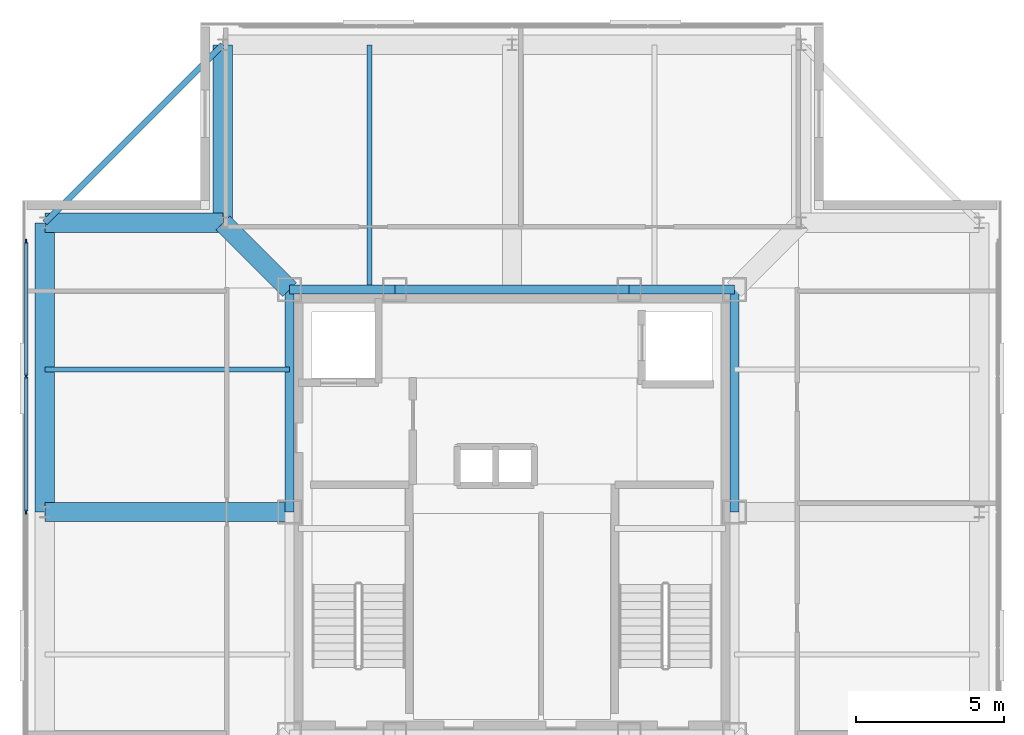
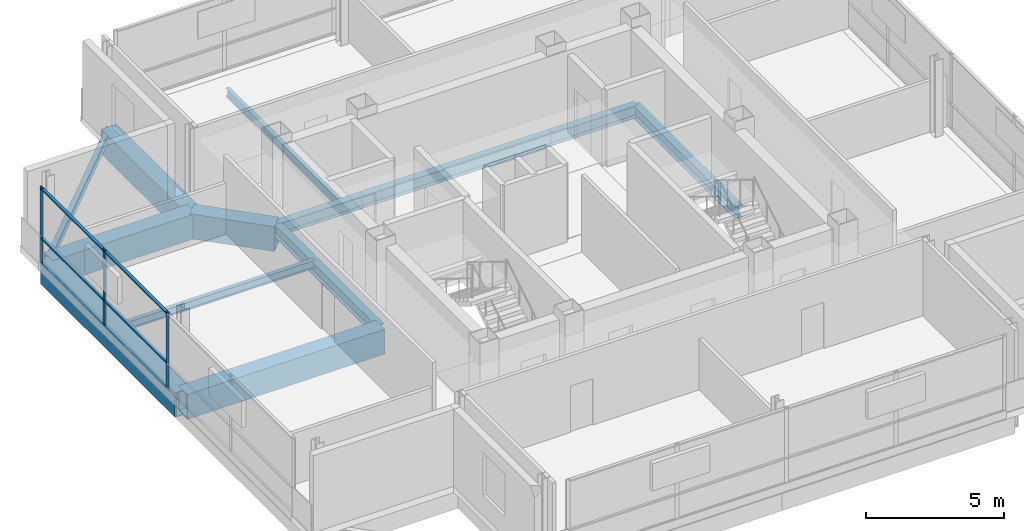
# One storey, part 4 of 11: 13 beams, 9 members, 1 element without a shape of its own.
"""IFC4 building model written with IfcOpenShell, lengths in metres."""

from ifc_helpers import new_model, si_unit, direction, frame, origin, origin_2d, place, context, subcontext, project, spatial, rectangle, hollow_rectangle, i_section, extrude, material, layer, layer_set, material_profile, profile_set, type_object, element, aggregate, save


model = new_model("IFC4")

# Units and contexts
model_context = context("Model", 3, precision=1e-05, world=origin(), true_north=direction((0.0, 1.0)))
body_context = subcontext(model_context, "Body", "Model", "MODEL_VIEW")
ifc_project = project(units=[si_unit("LENGTHUNIT", "METRE"), si_unit("AREAUNIT", "SQUARE_METRE"), si_unit("VOLUMEUNIT", "CUBIC_METRE"), si_unit("PLANEANGLEUNIT", "RADIAN"), si_unit("MASSUNIT", "GRAM", prefix="KILO")], contexts=[model_context])

# Site, building, storey
site_placement = place(None, origin())
site = spatial("IfcSite", under=ifc_project, at=site_placement, CompositionType="ELEMENT")
building_placement = place(site_placement, origin())
building = spatial("IfcBuilding", under=site, at=building_placement, Name="Trevonay Congress Spire", CompositionType="ELEMENT")
storey_placement = place(building_placement, frame((0.0, 0.0, 312.199951171875)))
storey = spatial("IfcBuildingStorey", under=building, at=storey_placement, Name="L82", CompositionType="ELEMENT", Elevation=312.199951171875)

# Beams
ifc_material_1 = material(Name="Steel ASTM A572 Grade 50", Category="steel")
ifc_material_profile_1 = material_profile(ifc_material_1, i_section(OverallWidth=0.31201171875, OverallDepth=0.54296875, WebThickness=0.0126953125, FlangeThickness=0.020263671875, FilletRadius=0.014892578125, at=origin_2d()), Name="W530x150")
ifc_profile_set_1 = profile_set([ifc_material_profile_1], Name="Steel ASTM A572 Grade 50")
beam_type_1 = type_object("IfcBeamType", Name="BM-GIRD-W530X150", PredefinedType="BEAM", material=ifc_profile_set_1)
beam_1_placement = place(storey_placement, frame((-7.5, 7.5, -0.551513671875), z_axis=(1.0, 0.0, 0.0), x_axis=(0.0, 1.0, 0.0)))
element("IfcBeam", 1, at=beam_1_placement, inside=storey, type_object=beam_type_1, Name="L82 structural beam BM-L82-CR-N1", PredefinedType="BEAM", context=body_context, shape_type="SweptSolid", body=[
    extrude(i_section(OverallWidth=0.31201171875, OverallDepth=0.54296875, WebThickness=0.0126953125, FlangeThickness=0.020263671875, FilletRadius=0.014892578125, at=origin_2d()), origin(), (0.0, 0.0, 1.0), 3.550048828125),
])
beam_2_placement = place(storey_placement, frame((-3.949951171875, 7.5, -0.551513671875), z_axis=(1.0, 0.0, 0.0), x_axis=(0.0, 1.0, 0.0)))
element("IfcBeam", 2, at=beam_2_placement, inside=storey, type_object=beam_type_1, Name="L82 structural beam BM-L82-CR-N2", PredefinedType="BEAM", context=body_context, shape_type="SweptSolid", body=[
    extrude(i_section(OverallWidth=0.31201171875, OverallDepth=0.54296875, WebThickness=0.0126953125, FlangeThickness=0.020263671875, FilletRadius=0.014892578125, at=origin_2d()), origin(), (0.0, 0.0, 1.0), 7.89990234375),
])
beam_3_placement = place(storey_placement, frame((3.949951171875, 7.5, -0.551513671875), z_axis=(1.0, 0.0, 0.0), x_axis=(0.0, 1.0, 0.0)))
element("IfcBeam", 3, at=beam_3_placement, inside=storey, type_object=beam_type_1, Name="L82 structural beam BM-L82-CR-N3", PredefinedType="BEAM", context=body_context, shape_type="SweptSolid", body=[
    extrude(i_section(OverallWidth=0.31201171875, OverallDepth=0.54296875, WebThickness=0.0126953125, FlangeThickness=0.020263671875, FilletRadius=0.014892578125, at=origin_2d()), origin(), (0.0, 0.0, 1.0), 3.550048828125),
])
for number, where, z_axis, x_axis, name in (
    (4, (-7.5, 0.0, -0.551513671875), (0.0, 1.0, 0.0), (-1.0, 0.0, 0.0), "L82 structural beam BM-L82-CR-W2"),
    (5, (7.5, 0.0, -0.551513671875), (0.0, 1.0, 0.0), (-1.0, 0.0, 0.0), "L82 structural beam BM-L82-CR-E2"),
):
    element("IfcBeam", number, at=place(storey_placement, frame(where, z_axis=z_axis, x_axis=x_axis)), inside=storey, type_object=beam_type_1, Name=name, PredefinedType="BEAM", context=body_context, shape_type="SweptSolid", body=[
        extrude(i_section(OverallWidth=0.31201171875, OverallDepth=0.54296875, WebThickness=0.0126953125, FlangeThickness=0.020263671875, FilletRadius=0.014892578125, at=origin_2d()), origin(), (0.0, 0.0, 1.0), 7.5),
    ])
ifc_material_profile_2 = material_profile(ifc_material_1, hollow_rectangle(XDim=0.64990234375, YDim=1.10009765625, WallThickness=0.044921875, at=origin_2d()), Name="BOX 1100x650x45")
ifc_profile_set_2 = profile_set([ifc_material_profile_2], Name="Steel ASTM A572 Grade 50")
beam_type_2 = type_object("IfcBeamType", Name="BM-RING-BOX1100", PredefinedType="BEAM", material=ifc_profile_set_2)
beam_4_placement = place(storey_placement, frame((-15.75, 0.0, -0.829833984375), z_axis=(0.0, 1.0, 0.0), x_axis=(-1.0, 0.0, 0.0)))
element("IfcBeam", 6, at=beam_4_placement, inside=storey, type_object=beam_type_2, Name="L82 structural beam BM-L82-PW2", PredefinedType="BEAM", context=body_context, shape_type="SweptSolid", body=[
    extrude(hollow_rectangle(XDim=0.64990234375, YDim=1.10009765625, WallThickness=0.044921875, at=origin_2d()), origin(), (0.0, 0.0, 1.0), 9.75),
])
for number, where, z_axis, x_axis, name in (
    (7, (-9.75, 15.75, -0.829833984375), (0.0, -1.0, 0.0), (1.0, 0.0, 0.0), "L82 structural beam BM-L82-N1NW"),
    (8, (-15.75, 9.75, -0.829833984375), (1.0, 0.0, 0.0), (0.0, 1.0, 0.0), "L82 structural beam BM-L82-N2NW"),
):
    element("IfcBeam", number, at=place(storey_placement, frame(where, z_axis=z_axis, x_axis=x_axis)), inside=storey, type_object=beam_type_2, Name=name, PredefinedType="BEAM", context=body_context, shape_type="SweptSolid", body=[
        extrude(hollow_rectangle(XDim=0.64990234375, YDim=1.10009765625, WallThickness=0.044921875, at=origin_2d()), origin(), (0.0, 0.0, 1.0), 6.0),
    ])
ifc_material_profile_3 = material_profile(ifc_material_1, hollow_rectangle(XDim=0.64990234375, YDim=1.10009765625, WallThickness=0.044921875, at=origin_2d()), Name="BOX 1100x650x45")
ifc_profile_set_3 = profile_set([ifc_material_profile_3], Name="Steel ASTM A572 Grade 50")
beam_type_3 = type_object("IfcBeamType", Name="BM-XFER-BOX1100", PredefinedType="BEAM", material=ifc_profile_set_3)
beam_5_placement = place(storey_placement, frame((-7.5, 7.5, -0.829833984375), z_axis=(-0.707106781187, 0.707106781187, 0.0), x_axis=(-0.707106781187, -0.707106781187, 0.0)))
element("IfcBeam", 9, at=beam_5_placement, inside=storey, type_object=beam_type_3, Name="L82 structural beam BM-L82-CDNW", PredefinedType="BEAM", context=body_context, shape_type="SweptSolid", body=[
    extrude(hollow_rectangle(XDim=0.64990234375, YDim=1.10009765625, WallThickness=0.044921875, at=origin_2d()), origin(), (0.0, 0.0, 1.0), 3.181884765625),
])
beam_6_placement = place(storey_placement, frame((-7.5, 0.0, -0.829833984375), z_axis=(-1.0, 0.0, 0.0), x_axis=(0.0, -1.0, 0.0)))
element("IfcBeam", 10, at=beam_6_placement, inside=storey, type_object=beam_type_3, Name="L82 structural beam BM-L82-GC-W", PredefinedType="BEAM", context=body_context, shape_type="SweptSolid", body=[
    extrude(hollow_rectangle(XDim=0.64990234375, YDim=1.10009765625, WallThickness=0.044921875, at=origin_2d()), origin(), (0.0, 0.0, 1.0), 8.25),
])

# Curtain wall, members
ifc_material_2 = material(Name="Pale Anodised Aluminium EN AW-6063-T6", Category="aluminium")
ifc_layer = layer(ifc_material_2, 0.159912109375, Name="Pale Anodised Aluminium EN AW-6063-T6")
ifc_layer_set = layer_set([ifc_layer], Name="Pale Anodised Aluminium EN AW-6063-T6")
curtain_wall_type = type_object("IfcCurtainWallType", Name="CW-SYS06-CROWN-PALE-METAL", PredefinedType="NOTDEFINED", material=ifc_layer_set)
curtain_wall_placement = place(storey_placement, origin())
curtain_wall = element("IfcCurtainWall", 11, at=curtain_wall_placement, inside=storey, type_object=curtain_wall_type, Name="L82 W unitised curtain wall", PredefinedType="NOTDEFINED")
ifc_material_profile_4 = material_profile(ifc_material_2, rectangle(XDim=0.06005859375, YDim=0.159912109375, at=origin_2d()), Name="CW-MULLION-160-ALUMINIUM")
ifc_profile_set_4 = profile_set([ifc_material_profile_4], Name="Pale Anodised Aluminium EN AW-6063-T6")
member_type_1 = type_object("IfcMemberType", Name="CW-MULLION-160-ALUMINIUM", PredefinedType="MULLION", material=ifc_profile_set_4)
member_1_placement = place(storey_placement, frame((-16.3798828125, 0.0, 0.0), z_axis=(0.0, 0.0, 1.0), x_axis=(-1.0, 0.0, 0.0)))
member_1 = element("IfcMember", 12, at=member_1_placement, type_object=member_type_1, Name="CW06 mullion 3", PredefinedType="MULLION", context=body_context, shape_type="SweptSolid", body=[
    extrude(rectangle(XDim=0.06005859375, YDim=0.159912109375, at=origin_2d()), origin(), (0.0, 0.0, 1.0), 3.400146484375),
])
member_2_placement = place(storey_placement, frame((-16.3798828125, 4.574951171875, 0.0), z_axis=(0.0, 0.0, 1.0), x_axis=(-1.0, 0.0, 0.0)))
member_2 = element("IfcMember", 13, at=member_2_placement, type_object=member_type_1, Name="CW06 mullion 4", PredefinedType="MULLION", context=body_context, shape_type="SweptSolid", body=[
    extrude(rectangle(XDim=0.06005859375, YDim=0.159912109375, at=origin_2d()), origin(), (0.0, 0.0, 1.0), 3.400146484375),
])
member_3_placement = place(storey_placement, frame((-16.3798828125, 9.1201171875, 0.0), z_axis=(0.0, 0.0, 1.0), x_axis=(-1.0, 0.0, 0.0)))
member_3 = element("IfcMember", 14, at=member_3_placement, type_object=member_type_1, Name="CW06 mullion 5", PredefinedType="MULLION", context=body_context, shape_type="SweptSolid", body=[
    extrude(rectangle(XDim=0.06005859375, YDim=0.159912109375, at=origin_2d()), origin(), (0.0, 0.0, 1.0), 3.400146484375),
])
ifc_material_profile_5 = material_profile(ifc_material_2, rectangle(XDim=0.1201171875, YDim=0.06005859375, at=origin_2d()), Name="CW-TRANSOM-120-ALUMINIUM")
ifc_profile_set_5 = profile_set([ifc_material_profile_5], Name="Pale Anodised Aluminium EN AW-6063-T6")
member_type_2 = type_object("IfcMemberType", Name="CW-TRANSOM-120-ALUMINIUM", PredefinedType="USERDEFINED", material=ifc_profile_set_5)
member_4_placement = place(storey_placement, frame((-16.3798828125, 0.030029296875, 0.06005859375), z_axis=(0.0, 1.0, 0.0), x_axis=(-1.0, 0.0, 0.0)))
member_4 = element("IfcMember", 15, at=member_4_placement, type_object=member_type_2, Name="CW06 transom 3.1", ObjectType="TRANSOM", PredefinedType="USERDEFINED", context=body_context, shape_type="SweptSolid", body=[
    extrude(rectangle(XDim=0.1201171875, YDim=0.06005859375, at=origin_2d()), origin(), (0.0, 0.0, 1.0), 4.514892578125),
])
member_5_placement = place(storey_placement, frame((-16.3798828125, 0.030029296875, 1.156005859375), z_axis=(0.0, 1.0, 0.0), x_axis=(-1.0, 0.0, 0.0)))
member_5 = element("IfcMember", 16, at=member_5_placement, type_object=member_type_2, Name="CW06 transom 3.2", ObjectType="TRANSOM", PredefinedType="USERDEFINED", context=body_context, shape_type="SweptSolid", body=[
    extrude(rectangle(XDim=0.1201171875, YDim=0.06005859375, at=origin_2d()), origin(), (0.0, 0.0, 1.0), 4.514892578125),
])
member_6_placement = place(storey_placement, frame((-16.3798828125, 0.030029296875, 3.340087890625), z_axis=(0.0, 1.0, 0.0), x_axis=(-1.0, 0.0, 0.0)))
member_6 = element("IfcMember", 17, at=member_6_placement, type_object=member_type_2, Name="CW06 transom 3.3", ObjectType="TRANSOM", PredefinedType="USERDEFINED", context=body_context, shape_type="SweptSolid", body=[
    extrude(rectangle(XDim=0.1201171875, YDim=0.06005859375, at=origin_2d()), origin(), (0.0, 0.0, 1.0), 4.514892578125),
])
member_7_placement = place(storey_placement, frame((-16.3798828125, 4.60498046875, 0.06005859375), z_axis=(0.0, 1.0, 0.0), x_axis=(-1.0, 0.0, 0.0)))
member_7 = element("IfcMember", 18, at=member_7_placement, type_object=member_type_2, Name="CW06 transom 4.1", ObjectType="TRANSOM", PredefinedType="USERDEFINED", context=body_context, shape_type="SweptSolid", body=[
    extrude(rectangle(XDim=0.1201171875, YDim=0.06005859375, at=origin_2d()), origin(), (0.0, 0.0, 1.0), 4.485107421875),
])
member_8_placement = place(storey_placement, frame((-16.3798828125, 4.60498046875, 1.156005859375), z_axis=(0.0, 1.0, 0.0), x_axis=(-1.0, 0.0, 0.0)))
member_8 = element("IfcMember", 19, at=member_8_placement, type_object=member_type_2, Name="CW06 transom 4.2", ObjectType="TRANSOM", PredefinedType="USERDEFINED", context=body_context, shape_type="SweptSolid", body=[
    extrude(rectangle(XDim=0.1201171875, YDim=0.06005859375, at=origin_2d()), origin(), (0.0, 0.0, 1.0), 4.485107421875),
])
member_9_placement = place(storey_placement, frame((-16.3798828125, 4.60498046875, 3.340087890625), z_axis=(0.0, 1.0, 0.0), x_axis=(-1.0, 0.0, 0.0)))
member_9 = element("IfcMember", 20, at=member_9_placement, type_object=member_type_2, Name="CW06 transom 4.3", ObjectType="TRANSOM", PredefinedType="USERDEFINED", context=body_context, shape_type="SweptSolid", body=[
    extrude(rectangle(XDim=0.1201171875, YDim=0.06005859375, at=origin_2d()), origin(), (0.0, 0.0, 1.0), 4.485107421875),
])
aggregate(curtain_wall, [member_1, member_2, member_3, member_4, member_5, member_6, member_7, member_8, member_9])

# Beams
ifc_material_profile_6 = material_profile(ifc_material_1, i_section(OverallWidth=0.172119140625, OverallDepth=0.35791015625, WebThickness=0.0078125, FlangeThickness=0.01318359375, FilletRadius=0.011962890625, at=origin_2d()), Name="W360x57.8")
ifc_profile_set_6 = profile_set([ifc_material_profile_6], Name="Steel ASTM A572 Grade 50")
beam_type_4 = type_object("IfcBeamType", Name="JS-COMP-W360X57", PredefinedType="JOIST", material=ifc_profile_set_6)
for number, where, z_axis, x_axis, name in (
    (21, (-4.800048828125, 7.5, -0.458984375), (0.0, 1.0, 0.0), (-1.0, 0.0, 0.0), "L82 structural beam JS-L82-NS-N1"),
    (22, (-15.75, 4.800048828125, -0.458984375), (1.0, 0.0, 0.0), (0.0, 1.0, 0.0), "L82 structural beam JS-L82-EW-W3"),
):
    element("IfcBeam", number, at=place(storey_placement, frame(where, z_axis=z_axis, x_axis=x_axis)), inside=storey, type_object=beam_type_4, Name=name, PredefinedType="JOIST", context=body_context, shape_type="SweptSolid", body=[
        extrude(i_section(OverallWidth=0.172119140625, OverallDepth=0.35791015625, WebThickness=0.0078125, FlangeThickness=0.01318359375, FilletRadius=0.011962890625, at=origin_2d()), origin(), (0.0, 0.0, 1.0), 8.25),
    ])
ifc_material_profile_7 = material_profile(ifc_material_1, i_section(OverallWidth=0.205078125, OverallDepth=0.35400390625, WebThickness=0.009521484375, FlangeThickness=0.016845703125, FilletRadius=0.011962890625, at=origin_2d()), Name="W360x79")
ifc_profile_set_7 = profile_set([ifc_material_profile_7], Name="Steel ASTM A572 Grade 50")
beam_type_5 = type_object("IfcBeamType", Name="SPB-HSS350", PredefinedType="SPANDREL", material=ifc_profile_set_7)
beam_7_placement = place(storey_placement, frame((-9.75, 15.75, -0.45703125), z_axis=(-0.707106781187, -0.707106781187, 0.0), x_axis=(0.707106781187, -0.707106781187, 0.0)))
element("IfcBeam", 23, at=beam_7_placement, inside=storey, type_object=beam_type_5, Name="L82 structural beam SPB-L82-NW", PredefinedType="SPANDREL", context=body_context, shape_type="SweptSolid", body=[
    extrude(i_section(OverallWidth=0.205078125, OverallDepth=0.35400390625, WebThickness=0.009521484375, FlangeThickness=0.016845703125, FilletRadius=0.011962890625, at=origin_2d()), origin(), (0.0, 0.0, 1.0), 8.4853515625),
])

save(model, "model.ifc")
